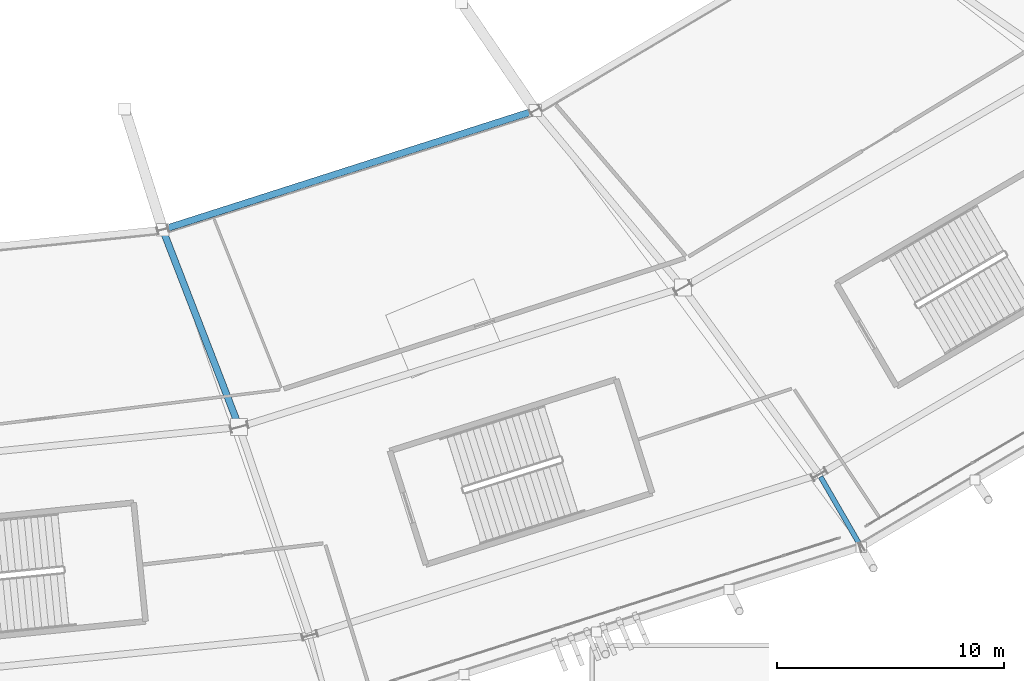
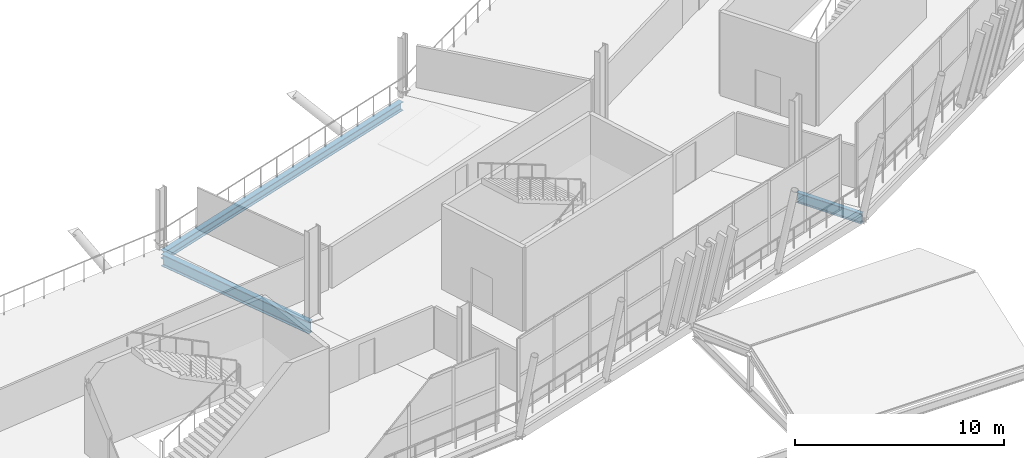
# One storey, part 48 of 168: 3 beams.
"""IFC4 building model written with IfcOpenShell, lengths in metres."""

from ifc_helpers import new_model, si_unit, direction, frame, origin, origin_2d, place, context, subcontext, project, spatial, i_section, extrude, material, material_profile, profile_set, type_object, element, save


model = new_model("IFC4")

# Units and contexts
model_context = context("Model", 3, precision=1e-05, world=origin(), true_north=direction((0.0, 1.0)))
body_context = subcontext(model_context, "Body", "Model", "MODEL_VIEW")
ifc_project = project(units=[si_unit("LENGTHUNIT", "METRE"), si_unit("AREAUNIT", "SQUARE_METRE"), si_unit("VOLUMEUNIT", "CUBIC_METRE"), si_unit("PLANEANGLEUNIT", "RADIAN"), si_unit("MASSUNIT", "GRAM", prefix="KILO")], contexts=[model_context])

# Site, building, storey
site_placement = place(None, origin())
site = spatial("IfcSite", under=ifc_project, at=site_placement, CompositionType="ELEMENT")
building_placement = place(site_placement, origin())
building = spatial("IfcBuilding", under=site, at=building_placement, Name="Zlatoyarsky Gate Stadium", CompositionType="ELEMENT")
storey_placement = place(building_placement, frame((0.0, 0.0, 15.60009765625)))
storey = spatial("IfcBuildingStorey", under=building, at=storey_placement, Name="L03", CompositionType="ELEMENT", Elevation=15.60009765625)

# Beams
ifc_material = material(Name="Steel S355", Category="steel")
ifc_material_profile_1 = material_profile(ifc_material, i_section(OverallWidth=0.219970703125, OverallDepth=0.60009765625, WebThickness=0.011962890625, FlangeThickness=0.01904296875, FilletRadius=0.02392578125, at=origin_2d()), Name="IPE 600")
ifc_profile_set_1 = profile_set([ifc_material_profile_1], Name="Steel S355")
beam_type_1 = type_object("IfcBeamType", Name="STEEL CANTILEVER FLOOR BEAM IPE 600", PredefinedType="BEAM", material=ifc_profile_set_1)
beam_1_placement = place(storey_placement, frame((157.56005859375, 18.408203125, -0.580078125), z_axis=(0.499980071345, -0.866036909293, 0.0), x_axis=(0.866036909293, 0.499980071345, 0.0)))
element("IfcBeam", 1, at=beam_1_placement, inside=storey, type_object=beam_type_1, Name="Beam B-IPE600 BM-L03-OUT-20", PredefinedType="BEAM", context=body_context, shape_type="SweptSolid", body=[
    extrude(i_section(OverallWidth=0.219970703125, OverallDepth=0.60009765625, WebThickness=0.011962890625, FlangeThickness=0.01904296875, FilletRadius=0.02392578125, at=origin_2d()), origin(), (0.0, 0.0, 1.0), 3.582275390625),
])
ifc_material_profile_2 = material_profile(ifc_material, i_section(OverallWidth=0.300048828125, OverallDepth=0.5, WebThickness=0.014404296875, FlangeThickness=0.028076171875, FilletRadius=0.027099609375, at=origin_2d()), Name="HEB 500")
ifc_profile_set_2 = profile_set([ifc_material_profile_2], Name="Steel S355")
beam_type_2 = type_object("IfcBeamType", Name="STEEL PRIMARY GIRDER HEB 500", PredefinedType="BEAM", material=ifc_profile_set_2)
beam_2_placement = place(storey_placement, frame((128.714111328125, 29.325439453125, -0.530029296875), z_axis=(0.952480396568, 0.304599891914, 0.0), x_axis=(-0.304599891914, 0.952480396568, 0.0)))
element("IfcBeam", 2, at=beam_2_placement, inside=storey, type_object=beam_type_2, Name="Beam G-HEB500 BM-L03-CRA-19", PredefinedType="BEAM", context=body_context, shape_type="SweptSolid", body=[
    extrude(i_section(OverallWidth=0.300048828125, OverallDepth=0.5, WebThickness=0.014404296875, FlangeThickness=0.028076171875, FilletRadius=0.027099609375, at=origin_2d()), origin(), (0.0, 0.0, 1.0), 16.978515625),
])
ifc_material_profile_3 = material_profile(ifc_material, i_section(OverallWidth=0.300048828125, OverallDepth=0.699951171875, WebThickness=0.01708984375, FlangeThickness=0.031982421875, FilletRadius=0.027099609375, at=origin_2d()), Name="HEB 700")
ifc_profile_set_3 = profile_set([ifc_material_profile_3], Name="Steel S355")
beam_type_3 = type_object("IfcBeamType", Name="STEEL PRIMARY GIRDER HEB 700", PredefinedType="BEAM", material=ifc_profile_set_3)
beam_3_placement = place(storey_placement, frame((128.64306640625, 29.177001953125, -0.630126953125), z_axis=(0.36092924223, -0.932593202904, 0.0), x_axis=(0.932593202904, 0.36092924223, 0.0)))
element("IfcBeam", 3, at=beam_3_placement, inside=storey, type_object=beam_type_3, Name="Beam G-HEB700 BM-L03-RAB-19", PredefinedType="BEAM", context=body_context, shape_type="SweptSolid", body=[
    extrude(i_section(OverallWidth=0.300048828125, OverallDepth=0.699951171875, WebThickness=0.01708984375, FlangeThickness=0.031982421875, FilletRadius=0.027099609375, at=origin_2d()), origin(), (0.0, 0.0, 1.0), 9.08154296875),
])

save(model, "model.ifc")
